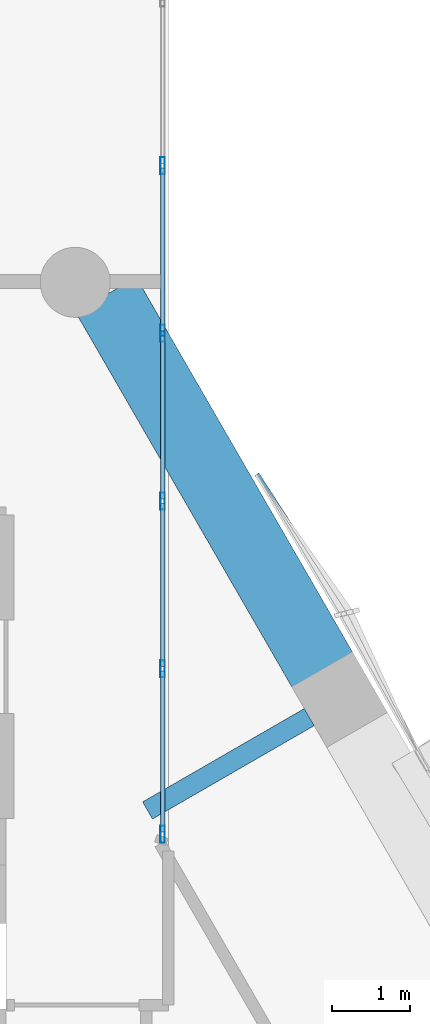
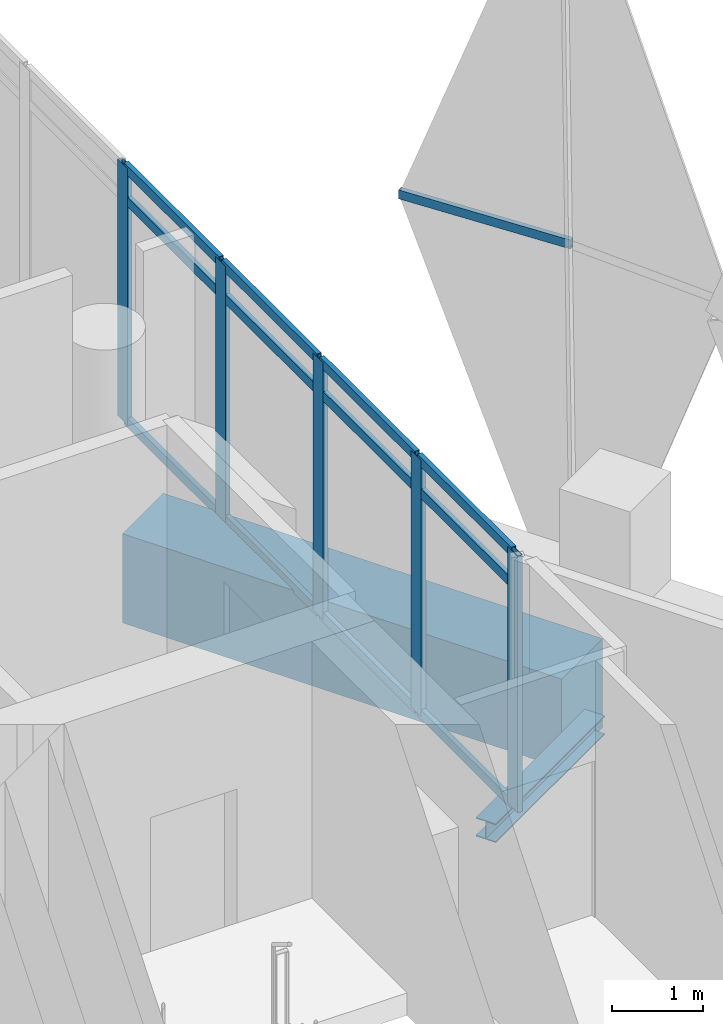
# One storey, part 18 of 37: 18 members, 2 beams, 2 elements without a shape of their own.
"""IFC4 building model written with IfcOpenShell, lengths in metres."""

from ifc_helpers import new_model, si_unit, direction, frame, origin, origin_2d, place, context, subcontext, project, spatial, rectangle, hollow_rectangle, i_section, extrude, material, material_profile, profile_set, type_object, element, aggregate, save


model = new_model("IFC4")

# Units and contexts
model_context = context("Model", 3, precision=1e-05, world=origin(), true_north=direction((0.0, 1.0)))
body_context = subcontext(model_context, "Body", "Model", "MODEL_VIEW")
ifc_project = project(units=[si_unit("LENGTHUNIT", "METRE"), si_unit("AREAUNIT", "SQUARE_METRE"), si_unit("VOLUMEUNIT", "CUBIC_METRE"), si_unit("PLANEANGLEUNIT", "RADIAN"), si_unit("MASSUNIT", "GRAM", prefix="KILO")], contexts=[model_context])

# Site, building, storey
site_placement = place(None, origin())
site = spatial("IfcSite", under=ifc_project, at=site_placement, CompositionType="ELEMENT")
building_placement = place(site_placement, origin())
building = spatial("IfcBuilding", under=site, at=building_placement, Name="Ostrander Bayou Hotel Tower", CompositionType="ELEMENT")
storey_placement = place(building_placement, frame((0.0, 0.0, 225.75)))
storey = spatial("IfcBuildingStorey", under=building, at=storey_placement, Name="L56", CompositionType="ELEMENT", Elevation=225.75)

# Curtain wall, members
ifc_material_1 = material(Name="Aluminium and clear glass", Category="aluminium")
curtain_wall_type_1 = type_object("IfcCurtainWallType", Name="CW-BAR glazed wall", PredefinedType="NOTDEFINED", material=ifc_material_1)
curtain_wall_1_placement = place(storey_placement, origin())
curtain_wall_1 = element("IfcCurtainWall", 1, at=curtain_wall_1_placement, inside=storey, type_object=curtain_wall_type_1, Name="CW-BAR L56:SB5N:W", PredefinedType="NOTDEFINED")
ifc_material_2 = material(Name="Aluminium", Category="aluminium")
ifc_material_profile_1 = material_profile(ifc_material_2, hollow_rectangle(XDim=0.06005859375, YDim=0.219970703125, WallThickness=0.00390625, at=origin_2d()))
ifc_profile_set_1 = profile_set([ifc_material_profile_1], Name="Aluminium")
member_type_1 = type_object("IfcMemberType", Name="CW-BR mullion 60 x 220 mm", PredefinedType="MULLION", material=ifc_profile_set_1)
member_1_placement = place(storey_placement, frame((10.51220703125, 9.4951171875, 0.0), z_axis=(0.0, 0.0, 1.0), x_axis=(-1.0, 0.0, 0.0)))
member_1 = element("IfcMember", 2, at=member_1_placement, type_object=member_type_1, Name="CW-BAR mullion 1", PredefinedType="MULLION", context=body_context, shape_type="SweptSolid", body=[
    extrude(hollow_rectangle(XDim=0.06005859375, YDim=0.219970703125, WallThickness=0.00390625, at=origin_2d()), origin(), (0.0, 0.0, 1.0), 3.449951171875),
])
member_2_placement = place(storey_placement, frame((10.51220703125, 11.620849609375, 0.0), z_axis=(0.0, 0.0, 1.0), x_axis=(-1.0, 0.0, 0.0)))
member_2 = element("IfcMember", 3, at=member_2_placement, type_object=member_type_1, Name="CW-BAR mullion 2", PredefinedType="MULLION", context=body_context, shape_type="SweptSolid", body=[
    extrude(hollow_rectangle(XDim=0.06005859375, YDim=0.219970703125, WallThickness=0.00390625, at=origin_2d()), origin(), (0.0, 0.0, 1.0), 3.449951171875),
])
member_3_placement = place(storey_placement, frame((10.51220703125, 13.7763671875, 0.0), z_axis=(0.0, 0.0, 1.0), x_axis=(-1.0, 0.0, 0.0)))
member_3 = element("IfcMember", 4, at=member_3_placement, type_object=member_type_1, Name="CW-BAR mullion 3", PredefinedType="MULLION", context=body_context, shape_type="SweptSolid", body=[
    extrude(hollow_rectangle(XDim=0.06005859375, YDim=0.219970703125, WallThickness=0.00390625, at=origin_2d()), origin(), (0.0, 0.0, 1.0), 3.449951171875),
])
member_4_placement = place(storey_placement, frame((10.51220703125, 15.93212890625, 0.0), z_axis=(0.0, 0.0, 1.0), x_axis=(-1.0, 0.0, 0.0)))
member_4 = element("IfcMember", 5, at=member_4_placement, type_object=member_type_1, Name="CW-BAR mullion 4", PredefinedType="MULLION", context=body_context, shape_type="SweptSolid", body=[
    extrude(hollow_rectangle(XDim=0.06005859375, YDim=0.219970703125, WallThickness=0.00390625, at=origin_2d()), origin(), (0.0, 0.0, 1.0), 3.449951171875),
])
member_5_placement = place(storey_placement, frame((10.51220703125, 18.087890625, 0.0), z_axis=(0.0, 0.0, 1.0), x_axis=(-1.0, 0.0, 0.0)))
member_5 = element("IfcMember", 6, at=member_5_placement, type_object=member_type_1, Name="CW-BAR mullion 5", PredefinedType="MULLION", context=body_context, shape_type="SweptSolid", body=[
    extrude(hollow_rectangle(XDim=0.06005859375, YDim=0.219970703125, WallThickness=0.00390625, at=origin_2d()), origin(), (0.0, 0.0, 1.0), 3.449951171875),
])
ifc_material_3 = material(Name="Aluminium", Category="aluminium")
ifc_material_profile_2 = material_profile(ifc_material_3, hollow_rectangle(XDim=0.06005859375, YDim=0.1298828125, WallThickness=0.00390625, at=origin_2d()))
ifc_profile_set_2 = profile_set([ifc_material_profile_2], Name="Aluminium")
member_type_2 = type_object("IfcMemberType", Name="CW-BR transom 60 x 130 mm", PredefinedType="USERDEFINED", material=ifc_profile_set_2)
member_6_placement = place(storey_placement, frame((10.51220703125, 9.52490234375, 0.030029296875), z_axis=(0.0, 1.0, 0.0), x_axis=(-1.0, 0.0, 0.0)))
member_6 = element("IfcMember", 7, at=member_6_placement, type_object=member_type_2, Name="CW-BAR transom 1.1", ObjectType="TRANSOM", PredefinedType="USERDEFINED", context=body_context, shape_type="SweptSolid", body=[
    extrude(hollow_rectangle(XDim=0.06005859375, YDim=0.1298828125, WallThickness=0.00390625, at=origin_2d()), origin(), (0.0, 0.0, 1.0), 2.06591796875),
])
member_7_placement = place(storey_placement, frame((10.51220703125, 9.52490234375, 3.0), z_axis=(0.0, 1.0, 0.0), x_axis=(-1.0, 0.0, 0.0)))
member_7 = element("IfcMember", 8, at=member_7_placement, type_object=member_type_2, Name="CW-BAR transom 1.2", ObjectType="TRANSOM", PredefinedType="USERDEFINED", context=body_context, shape_type="SweptSolid", body=[
    extrude(hollow_rectangle(XDim=0.06005859375, YDim=0.1298828125, WallThickness=0.00390625, at=origin_2d()), origin(), (0.0, 0.0, 1.0), 2.06591796875),
])
member_8_placement = place(storey_placement, frame((10.51220703125, 9.52490234375, 3.419921875), z_axis=(0.0, 1.0, 0.0), x_axis=(-1.0, 0.0, 0.0)))
member_8 = element("IfcMember", 9, at=member_8_placement, type_object=member_type_2, Name="CW-BAR transom 1.3", ObjectType="TRANSOM", PredefinedType="USERDEFINED", context=body_context, shape_type="SweptSolid", body=[
    extrude(hollow_rectangle(XDim=0.06005859375, YDim=0.1298828125, WallThickness=0.00390625, at=origin_2d()), origin(), (0.0, 0.0, 1.0), 2.06591796875),
])
member_9_placement = place(storey_placement, frame((10.51220703125, 11.650634765625, 0.030029296875), z_axis=(0.0, 1.0, 0.0), x_axis=(-1.0, 0.0, 0.0)))
member_9 = element("IfcMember", 10, at=member_9_placement, type_object=member_type_2, Name="CW-BAR transom 2.1", ObjectType="TRANSOM", PredefinedType="USERDEFINED", context=body_context, shape_type="SweptSolid", body=[
    extrude(hollow_rectangle(XDim=0.06005859375, YDim=0.1298828125, WallThickness=0.00390625, at=origin_2d()), origin(), (0.0, 0.0, 1.0), 2.095947265625),
])
member_10_placement = place(storey_placement, frame((10.51220703125, 11.650634765625, 3.0), z_axis=(0.0, 1.0, 0.0), x_axis=(-1.0, 0.0, 0.0)))
member_10 = element("IfcMember", 11, at=member_10_placement, type_object=member_type_2, Name="CW-BAR transom 2.2", ObjectType="TRANSOM", PredefinedType="USERDEFINED", context=body_context, shape_type="SweptSolid", body=[
    extrude(hollow_rectangle(XDim=0.06005859375, YDim=0.1298828125, WallThickness=0.00390625, at=origin_2d()), origin(), (0.0, 0.0, 1.0), 2.095947265625),
])
member_11_placement = place(storey_placement, frame((10.51220703125, 11.650634765625, 3.419921875), z_axis=(0.0, 1.0, 0.0), x_axis=(-1.0, 0.0, 0.0)))
member_11 = element("IfcMember", 12, at=member_11_placement, type_object=member_type_2, Name="CW-BAR transom 2.3", ObjectType="TRANSOM", PredefinedType="USERDEFINED", context=body_context, shape_type="SweptSolid", body=[
    extrude(hollow_rectangle(XDim=0.06005859375, YDim=0.1298828125, WallThickness=0.00390625, at=origin_2d()), origin(), (0.0, 0.0, 1.0), 2.095947265625),
])
member_12_placement = place(storey_placement, frame((10.51220703125, 13.806396484375, 0.030029296875), z_axis=(0.0, 1.0, 0.0), x_axis=(-1.0, 0.0, 0.0)))
member_12 = element("IfcMember", 13, at=member_12_placement, type_object=member_type_2, Name="CW-BAR transom 3.1", ObjectType="TRANSOM", PredefinedType="USERDEFINED", context=body_context, shape_type="SweptSolid", body=[
    extrude(hollow_rectangle(XDim=0.06005859375, YDim=0.1298828125, WallThickness=0.00390625, at=origin_2d()), origin(), (0.0, 0.0, 1.0), 2.095703125),
])
member_13_placement = place(storey_placement, frame((10.51220703125, 13.806396484375, 3.0), z_axis=(0.0, 1.0, 0.0), x_axis=(-1.0, 0.0, 0.0)))
member_13 = element("IfcMember", 14, at=member_13_placement, type_object=member_type_2, Name="CW-BAR transom 3.2", ObjectType="TRANSOM", PredefinedType="USERDEFINED", context=body_context, shape_type="SweptSolid", body=[
    extrude(hollow_rectangle(XDim=0.06005859375, YDim=0.1298828125, WallThickness=0.00390625, at=origin_2d()), origin(), (0.0, 0.0, 1.0), 2.095703125),
])
member_14_placement = place(storey_placement, frame((10.51220703125, 13.806396484375, 3.419921875), z_axis=(0.0, 1.0, 0.0), x_axis=(-1.0, 0.0, 0.0)))
member_14 = element("IfcMember", 15, at=member_14_placement, type_object=member_type_2, Name="CW-BAR transom 3.3", ObjectType="TRANSOM", PredefinedType="USERDEFINED", context=body_context, shape_type="SweptSolid", body=[
    extrude(hollow_rectangle(XDim=0.06005859375, YDim=0.1298828125, WallThickness=0.00390625, at=origin_2d()), origin(), (0.0, 0.0, 1.0), 2.095703125),
])
member_15_placement = place(storey_placement, frame((10.51220703125, 15.962158203125, 0.030029296875), z_axis=(0.0, 1.0, 0.0), x_axis=(-1.0, 0.0, 0.0)))
member_15 = element("IfcMember", 16, at=member_15_placement, type_object=member_type_2, Name="CW-BAR transom 4.1", ObjectType="TRANSOM", PredefinedType="USERDEFINED", context=body_context, shape_type="SweptSolid", body=[
    extrude(hollow_rectangle(XDim=0.06005859375, YDim=0.1298828125, WallThickness=0.00390625, at=origin_2d()), origin(), (0.0, 0.0, 1.0), 2.095703125),
])
member_16_placement = place(storey_placement, frame((10.51220703125, 15.962158203125, 3.0), z_axis=(0.0, 1.0, 0.0), x_axis=(-1.0, 0.0, 0.0)))
member_16 = element("IfcMember", 17, at=member_16_placement, type_object=member_type_2, Name="CW-BAR transom 4.2", ObjectType="TRANSOM", PredefinedType="USERDEFINED", context=body_context, shape_type="SweptSolid", body=[
    extrude(hollow_rectangle(XDim=0.06005859375, YDim=0.1298828125, WallThickness=0.00390625, at=origin_2d()), origin(), (0.0, 0.0, 1.0), 2.095703125),
])
member_17_placement = place(storey_placement, frame((10.51220703125, 15.962158203125, 3.419921875), z_axis=(0.0, 1.0, 0.0), x_axis=(-1.0, 0.0, 0.0)))
member_17 = element("IfcMember", 18, at=member_17_placement, type_object=member_type_2, Name="CW-BAR transom 4.3", ObjectType="TRANSOM", PredefinedType="USERDEFINED", context=body_context, shape_type="SweptSolid", body=[
    extrude(hollow_rectangle(XDim=0.06005859375, YDim=0.1298828125, WallThickness=0.00390625, at=origin_2d()), origin(), (0.0, 0.0, 1.0), 2.095703125),
])
aggregate(curtain_wall_1, [member_1, member_2, member_3, member_4, member_5, member_6, member_7, member_8, member_9, member_10, member_11, member_12, member_13, member_14, member_15, member_16, member_17])

# Curtain wall, member
ifc_material_4 = material(Name="Aluminium and clear glass", Category="aluminium")
curtain_wall_type_2 = type_object("IfcCurtainWallType", Name="CW-LAT lattice glazing", PredefinedType="NOTDEFINED", material=ifc_material_4)
curtain_wall_2_placement = place(storey_placement, origin())
curtain_wall_2 = element("IfcCurtainWall", 19, at=curtain_wall_2_placement, inside=storey, type_object=curtain_wall_type_2, Name="CW-LAT L56 NE 2", PredefinedType="NOTDEFINED")
ifc_material_5 = material(Name="Aluminium", Category="aluminium")
ifc_material_profile_3 = material_profile(ifc_material_5, hollow_rectangle(XDim=0.06005859375, YDim=0.1201171875, WallThickness=0.00390625, at=origin_2d()))
ifc_profile_set_3 = profile_set([ifc_material_profile_3], Name="Aluminium")
member_type_3 = type_object("IfcMemberType", Name="CW-LA transom 60 x 120 mm", PredefinedType="USERDEFINED", material=ifc_profile_set_3)
member_18_placement = place(storey_placement, frame((12.8798828125, 12.34033203125, 5.02490234375), z_axis=(-0.544350541291, 0.838857847431, 0.0), x_axis=(-0.838857847431, -0.544350541291, 0.0)))
member_18 = element("IfcMember", 20, at=member_18_placement, type_object=member_type_3, Name="CW-LAT transom 15", ObjectType="TRANSOM", PredefinedType="USERDEFINED", context=body_context, shape_type="SweptSolid", body=[
    extrude(hollow_rectangle(XDim=0.06005859375, YDim=0.1201171875, WallThickness=0.00390625, at=origin_2d()), origin(), (0.0, 0.0, 1.0), 2.126220703125),
])
aggregate(curtain_wall_2, [member_18])

# Beams
ifc_material_6 = material(Name="Steel ASTM A992", Category="steel")
ifc_material_profile_4 = material_profile(ifc_material_6, i_section(OverallWidth=0.25390625, OverallDepth=0.25341796875, WebThickness=0.008544921875, FlangeThickness=0.01416015625, at=origin_2d()))
ifc_profile_set_4 = profile_set([ifc_material_profile_4], Name="Steel ASTM A992")
beam_type_1 = type_object("IfcBeamType", Name="LB2 loggia bracket W10x49", PredefinedType="BEAM", material=ifc_profile_set_4)
beam_1_placement = place(storey_placement, frame((12.396484375, 11.00146484375, -0.4267578125), z_axis=(-0.866050077142, -0.499957262057, 0.0), x_axis=(0.499957262057, -0.866050077142, 0.0)))
element("IfcBeam", 21, at=beam_1_placement, inside=storey, type_object=beam_type_1, Name="LB2 L56 NE2", PredefinedType="BEAM", context=body_context, shape_type="SweptSolid", body=[
    extrude(i_section(OverallWidth=0.25390625, OverallDepth=0.25341796875, WebThickness=0.008544921875, FlangeThickness=0.01416015625, at=origin_2d()), origin(), (0.0, 0.0, 1.0), 2.400146484375),
])
ifc_material_7 = material(Name="Concrete f'c 60 MPa", Category="concrete")
ifc_material_profile_5 = material_profile(ifc_material_7, rectangle(XDim=0.89990234375, YDim=1.199951171875, at=origin_2d()))
ifc_profile_set_5 = profile_set([ifc_material_profile_5], Name="Concrete f'c 60 MPa")
beam_type_2 = type_object("IfcBeamType", Name="SP4 spandrel beam 900 x 1200 mm f'c 60 MPa", PredefinedType="SPANDREL", material=ifc_profile_set_5)
beam_2_placement = place(storey_placement, frame((12.576171875, 11.590087890625, -0.60009765625), z_axis=(-0.500007442593, 0.866021106759, 0.0), x_axis=(-0.866021106759, -0.500007442593, 0.0)))
element("IfcBeam", 22, at=beam_2_placement, inside=storey, type_object=beam_type_2, Name="SP4 L56 NE-3", PredefinedType="SPANDREL", context=body_context, shape_type="SweptSolid", body=[
    extrude(rectangle(XDim=0.89990234375, YDim=1.199951171875, at=origin_2d()), origin(), (0.0, 0.0, 1.0), 5.58642578125),
])

save(model, "model.ifc")
